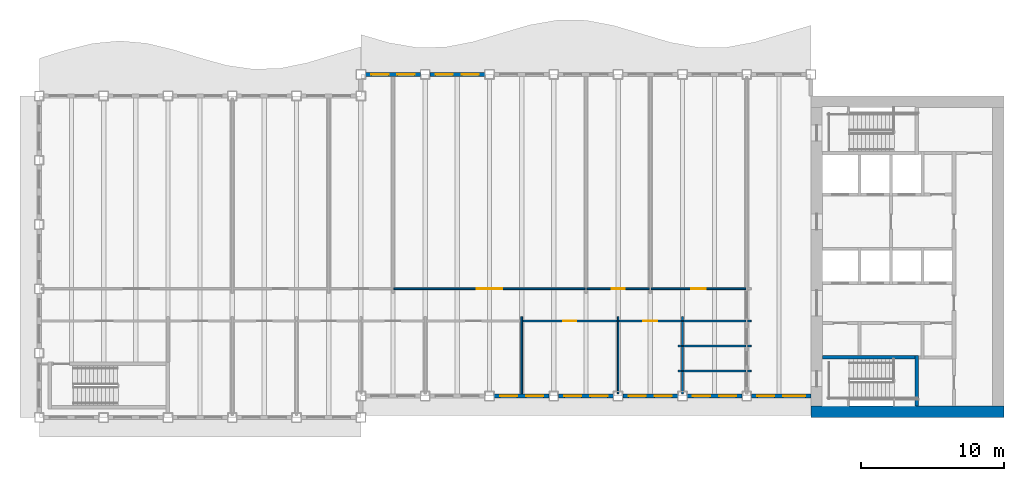
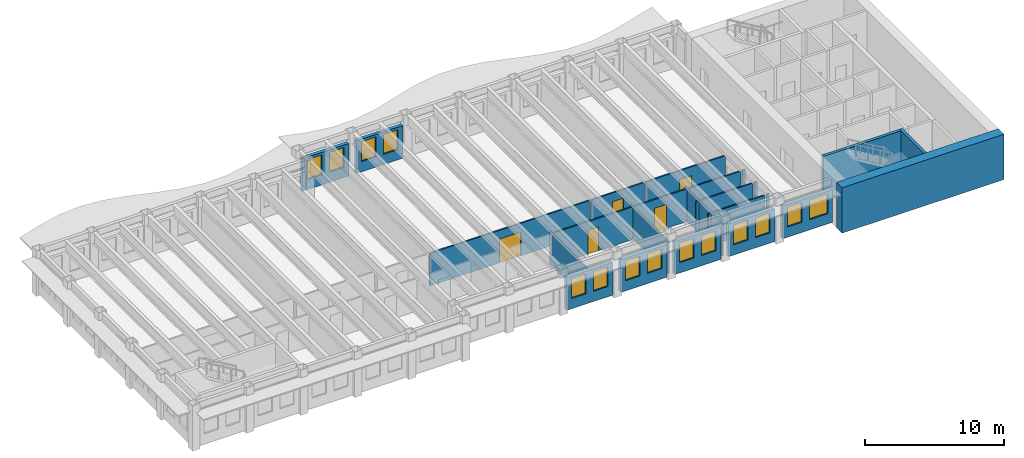
# One storey, part 4 of 12: 26 walls, 14 windows, 5 doors, 19 openings.
"""IFC4 building model written with IfcOpenShell, lengths in metres."""

from ifc_helpers import new_model, si_unit, direction, frame, frame_2d, origin, place, context, subcontext, project, spatial, rectangle, extrude, material, layer, layer_set, type_object, element, fill, save


model = new_model("IFC4")

# Units and contexts
model_context = context("Model", 3, precision=1e-05, world=origin(), true_north=direction((0.0, 1.0)))
body_context = subcontext(model_context, "Body", "Model", "MODEL_VIEW")
ifc_project = project(units=[si_unit("LENGTHUNIT", "METRE"), si_unit("AREAUNIT", "SQUARE_METRE"), si_unit("VOLUMEUNIT", "CUBIC_METRE"), si_unit("PLANEANGLEUNIT", "RADIAN"), si_unit("MASSUNIT", "GRAM", prefix="KILO")], contexts=[model_context])

# Site, building, storey
site_placement = place(None, origin())
site = spatial("IfcSite", under=ifc_project, at=site_placement, CompositionType="ELEMENT")
building_placement = place(site_placement, origin())
building = spatial("IfcBuilding", under=site, at=building_placement, Name="Sennacour Bend Tower", CompositionType="ELEMENT")
storey_placement = place(building_placement, frame((0.0, 0.0, 269.0)))
storey = spatial("IfcBuildingStorey", under=building, at=storey_placement, Name="L62", CompositionType="ELEMENT", Elevation=269.0)

# Walls
ifc_material_1 = material(Name="Concrete C50/60", Category="concrete")
ifc_layer_1 = layer(ifc_material_1, 0.800048828125, Name="Concrete C50/60", Category="concrete")
ifc_layer_set_1 = layer_set([ifc_layer_1], Name="Concrete C50/60")
wall_type_1 = type_object("IfcWallType", Name="Core wall 800 C50/60", PredefinedType="SHEAR", material=ifc_layer_set_1)
wall_1_placement = place(storey_placement, frame((67.5, 0.39990234375, -0.14990234375), z_axis=(0.0, 0.0, 1.0), x_axis=(-1.0, 0.0, 0.0)))
element("IfcWall", 1, at=wall_1_placement, inside=storey, type_object=wall_type_1, Name="Core A wall L62 S", PredefinedType="SHEAR", context=body_context, shape_type="SweptSolid", body=[
    extrude(rectangle(XDim=13.5, YDim=0.800048828125, at=frame_2d((6.75, 0.0))), origin(), (0.0, 0.0, 1.0), 4.0),
])
ifc_material_2 = material(Name="Plasterboard partition on steel studs", Category="steel")
ifc_layer_2 = layer(ifc_material_2, 0.1201171875, Name="Plasterboard partition on steel studs", Category="steel")
ifc_layer_set_2 = layer_set([ifc_layer_2], Name="Plasterboard partition on steel studs")
wall_type_2 = type_object("IfcWallType", Name="Partition 120", PredefinedType="PARTITIONING", material=ifc_layer_set_2)
for number, where, z_axis, x_axis, name in (
    (2, (33.75, 1.64990234375, 0.0), (0.0, 0.0, 1.0), (0.0, 1.0, 0.0), "P-L62-W013a"),
    (3, (40.5, 1.64990234375, 0.0), (0.0, 0.0, 1.0), (0.0, 1.0, 0.0), "P-L62-W015a"),
    (4, (45.0, 1.64990234375, 0.0), (0.0, 0.0, 1.0), (0.0, 1.0, 0.0), "P-L62-W017a"),
):
    element("IfcWall", number, at=place(storey_placement, frame(where, z_axis=z_axis, x_axis=x_axis)), inside=storey, type_object=wall_type_2, Name=name, PredefinedType="PARTITIONING", context=body_context, shape_type="SweptSolid", body=[
        extrude(rectangle(XDim=5.400146484375, YDim=0.1201171875, at=frame_2d((2.7001953125, 0.0))), origin(), (0.0, 0.0, 1.0), 2.8701171875),
    ])
wall_2_placement = place(storey_placement, frame((44.699951171875, 3.25, 0.0), z_axis=(0.0, 0.0, 1.0), x_axis=(1.0, 0.0, 0.0)))
element("IfcWall", 5, at=wall_2_placement, inside=storey, type_object=wall_type_2, Name="P-L62-W036aa", PredefinedType="PARTITIONING", context=body_context, shape_type="SweptSolid", body=[
    extrude(rectangle(XDim=0.239990234375, YDim=0.1201171875, at=frame_2d((0.1201171875, 0.0))), origin(), (0.0, 0.0, 1.0), 2.8701171875),
])
wall_3_placement = place(storey_placement, frame((45.06005859375, 3.25, 0.0), z_axis=(0.0, 0.0, 1.0), x_axis=(1.0, 0.0, 0.0)))
element("IfcWall", 6, at=wall_3_placement, inside=storey, type_object=wall_type_2, Name="P-L62-W036ab", PredefinedType="PARTITIONING", context=body_context, shape_type="SweptSolid", body=[
    extrude(rectangle(XDim=4.3798828125, YDim=0.1201171875, at=frame_2d((2.18994140625, 0.0))), origin(), (0.0, 0.0, 1.0), 2.8701171875),
])
for number, where, z_axis, x_axis, name in (
    (7, (49.56005859375, 3.25, 0.0), (0.0, 0.0, 1.0), (1.0, 0.0, 0.0), "P-L62-W036ac"),
    (8, (44.699951171875, 5.0, 0.0), (0.0, 0.0, 1.0), (1.0, 0.0, 0.0), "P-L62-W041aa"),
):
    element("IfcWall", number, at=place(storey_placement, frame(where, z_axis=z_axis, x_axis=x_axis)), inside=storey, type_object=wall_type_2, Name=name, PredefinedType="PARTITIONING", context=body_context, shape_type="SweptSolid", body=[
        extrude(rectangle(XDim=0.239990234375, YDim=0.1201171875, at=frame_2d((0.1201171875, 0.0))), origin(), (0.0, 0.0, 1.0), 2.8701171875),
    ])
wall_4_placement = place(storey_placement, frame((45.06005859375, 5.0, 0.0), z_axis=(0.0, 0.0, 1.0), x_axis=(1.0, 0.0, 0.0)))
element("IfcWall", 9, at=wall_4_placement, inside=storey, type_object=wall_type_2, Name="P-L62-W041ab", PredefinedType="PARTITIONING", context=body_context, shape_type="SweptSolid", body=[
    extrude(rectangle(XDim=4.3798828125, YDim=0.1201171875, at=frame_2d((2.18994140625, 0.0))), origin(), (0.0, 0.0, 1.0), 2.8701171875),
])
wall_5_placement = place(storey_placement, frame((49.56005859375, 5.0, 0.0), z_axis=(0.0, 0.0, 1.0), x_axis=(1.0, 0.0, 0.0)))
element("IfcWall", 10, at=wall_5_placement, inside=storey, type_object=wall_type_2, Name="P-L62-W041ac", PredefinedType="PARTITIONING", context=body_context, shape_type="SweptSolid", body=[
    extrude(rectangle(XDim=0.239990234375, YDim=0.1201171875, at=frame_2d((0.1201171875, 0.0))), origin(), (0.0, 0.0, 1.0), 2.8701171875),
])

# Wall, opening, door
wall_6_placement = place(storey_placement, frame((40.56005859375, 6.75, 0.0), z_axis=(0.0, 0.0, 1.0), x_axis=(1.0, 0.0, 0.0)))
wall_6 = element("IfcWall", 11, at=wall_6_placement, inside=storey, type_object=wall_type_2, Name="P-L62-W043ah", PredefinedType="PARTITIONING", context=body_context, shape_type="SweptSolid", body=[
    extrude(rectangle(XDim=4.3798828125, YDim=0.1201171875, at=frame_2d((2.18994140625, 0.0))), origin(), (0.0, 0.0, 1.0), 2.8701171875),
])
opening_1_placement = place(wall_6_placement, frame((1.68994140625, 0.0, 0.0)))
opening_1 = element("IfcOpeningElement", 12, at=opening_1_placement, cuts=wall_6, Name="Opening OD2", PredefinedType="OPENING", context=body_context, shape_type="SweptSolid", body=[
    extrude(rectangle(XDim=1.0, YDim=2.10009765625, at=frame_2d((0.5, 1.050048828125))), frame((0.0, 0.070068359375, 0.0), z_axis=(0.0, -1.0, 0.0), x_axis=(1.0, 0.0, 0.0)), (0.0, 0.0, 1.0), 0.14013671875),
])
ifc_material_3 = material(Name="Timber", Category="wood")
door_type_1 = type_object("IfcDoorType", Name="DR-OFFICE-1000", OperationType="NOTDEFINED", PredefinedType="DOOR", material=ifc_material_3)
door_1_placement = place(opening_1_placement, origin())
door_1 = element("IfcDoor", 13, at=door_1_placement, inside=storey, type_object=door_type_1, Name="Door", OperationType="SINGLE_SWING_LEFT", OverallHeight=2.10009765625, OverallWidth=1.0, PredefinedType="DOOR", context=body_context, shape_type="SweptSolid", body=[
    extrude(rectangle(XDim=1.0, YDim=2.10009765625, at=frame_2d((0.5, 1.050048828125))), frame((0.0, 0.02490234375, 0.0), z_axis=(0.0, -1.0, 0.0), x_axis=(1.0, 0.0, 0.0)), (0.0, 0.0, 1.0), 0.050048828125),
])
fill(opening_1, door_1)

# Walls
wall_7_placement = place(storey_placement, frame((45.06005859375, 6.75, 0.0), z_axis=(0.0, 0.0, 1.0), x_axis=(1.0, 0.0, 0.0)))
element("IfcWall", 14, at=wall_7_placement, inside=storey, type_object=wall_type_2, Name="P-L62-W043ai", PredefinedType="PARTITIONING", context=body_context, shape_type="SweptSolid", body=[
    extrude(rectangle(XDim=4.3798828125, YDim=0.1201171875, at=frame_2d((2.18994140625, 0.0))), origin(), (0.0, 0.0, 1.0), 2.8701171875),
])
wall_8_placement = place(storey_placement, frame((49.56005859375, 6.75, 0.0), z_axis=(0.0, 0.0, 1.0), x_axis=(1.0, 0.0, 0.0)))
element("IfcWall", 15, at=wall_8_placement, inside=storey, type_object=wall_type_2, Name="P-L62-W043aj", PredefinedType="PARTITIONING", context=body_context, shape_type="SweptSolid", body=[
    extrude(rectangle(XDim=0.239990234375, YDim=0.1201171875, at=frame_2d((0.1201171875, 0.0))), origin(), (0.0, 0.0, 1.0), 2.8701171875),
])

# Wall, opening, door
wall_9_placement = place(storey_placement, frame((24.81005859375, 9.0, 0.0), z_axis=(0.0, 0.0, 1.0), x_axis=(1.0, 0.0, 0.0)))
wall_9 = element("IfcWall", 16, at=wall_9_placement, inside=storey, type_object=wall_type_2, Name="P-L62-W044ad", PredefinedType="PARTITIONING", context=body_context, shape_type="SweptSolid", body=[
    extrude(rectangle(XDim=13.3798828125, YDim=0.1201171875, at=frame_2d((6.68994140625, 0.0))), origin(), (0.0, 0.0, 1.0), 2.8701171875),
])
opening_2_placement = place(wall_9_placement, frame((5.789794921875, 0.0, 0.0)))
opening_2 = element("IfcOpeningElement", 17, at=opening_2_placement, cuts=wall_9, Name="Opening OD3", PredefinedType="OPENING", context=body_context, shape_type="SweptSolid", body=[
    extrude(rectangle(XDim=1.800048828125, YDim=2.10009765625, at=frame_2d((0.89990234375, 1.050048828125))), frame((0.0, 0.070068359375, 0.0), z_axis=(0.0, -1.0, 0.0), x_axis=(1.0, 0.0, 0.0)), (0.0, 0.0, 1.0), 0.14013671875),
])
door_type_2 = type_object("IfcDoorType", Name="DR-OFFICE-1800", OperationType="NOTDEFINED", PredefinedType="DOOR", material=ifc_material_3)
door_2_placement = place(opening_2_placement, origin())
door_2 = element("IfcDoor", 18, at=door_2_placement, inside=storey, type_object=door_type_2, Name="Door", OperationType="DOUBLE_DOOR_SINGLE_SWING", OverallHeight=2.10009765625, OverallWidth=1.800048828125, PredefinedType="DOOR", context=body_context, shape_type="SweptSolid", body=[
    extrude(rectangle(XDim=1.800048828125, YDim=2.10009765625, at=frame_2d((0.89990234375, 1.050048828125))), frame((0.0, 0.02490234375, 0.0), z_axis=(0.0, -1.0, 0.0), x_axis=(1.0, 0.0, 0.0)), (0.0, 0.0, 1.0), 0.050048828125),
])
fill(opening_2, door_2)

wall_10_placement = place(storey_placement, frame((42.81005859375, 9.0, 0.0), z_axis=(0.0, 0.0, 1.0), x_axis=(1.0, 0.0, 0.0)))
wall_10 = element("IfcWall", 19, at=wall_10_placement, inside=storey, type_object=wall_type_2, Name="P-L62-W044af", PredefinedType="PARTITIONING", context=body_context, shape_type="SweptSolid", body=[
    extrude(rectangle(XDim=6.6298828125, YDim=0.1201171875, at=frame_2d((3.31494140625, 0.0))), origin(), (0.0, 0.0, 1.0), 2.8701171875),
])
opening_3_placement = place(wall_10_placement, frame((2.81494140625, 0.0, 0.0)))
opening_3 = element("IfcOpeningElement", 20, at=opening_3_placement, cuts=wall_10, Name="Opening OD2", PredefinedType="OPENING", context=body_context, shape_type="SweptSolid", body=[
    extrude(rectangle(XDim=1.0, YDim=2.10009765625, at=frame_2d((0.5, 1.050048828125))), frame((0.0, 0.070068359375, 0.0), z_axis=(0.0, -1.0, 0.0), x_axis=(1.0, 0.0, 0.0)), (0.0, 0.0, 1.0), 0.14013671875),
])
door_3_placement = place(opening_3_placement, origin())
door_3 = element("IfcDoor", 21, at=door_3_placement, inside=storey, type_object=door_type_1, Name="Door", OperationType="SINGLE_SWING_LEFT", OverallHeight=2.10009765625, OverallWidth=1.0, PredefinedType="DOOR", context=body_context, shape_type="SweptSolid", body=[
    extrude(rectangle(XDim=1.0, YDim=2.10009765625, at=frame_2d((0.5, 1.050048828125))), frame((0.0, 0.02490234375, 0.0), z_axis=(0.0, -1.0, 0.0), x_axis=(1.0, 0.0, 0.0)), (0.0, 0.0, 1.0), 0.050048828125),
])
fill(opening_3, door_3)

ifc_layer_3 = layer(ifc_material_2, 0.1201171875, Name="Plasterboard partition on steel studs", Category="steel")
ifc_layer_set_3 = layer_set([ifc_layer_3], Name="Plasterboard partition on steel studs")
wall_type_3 = type_object("IfcWallType", Name="Partition 120 EI 60", PredefinedType="PARTITIONING", material=ifc_layer_set_3)
wall_11_placement = place(storey_placement, frame((33.81005859375, 6.75, 0.0), z_axis=(0.0, 0.0, 1.0), x_axis=(1.0, 0.0, 0.0)))
wall_11 = element("IfcWall", 22, at=wall_11_placement, inside=storey, type_object=wall_type_3, Name="P-L62-W043ag", PredefinedType="PARTITIONING", context=body_context, shape_type="SweptSolid", body=[
    extrude(rectangle(XDim=6.6298828125, YDim=0.1201171875, at=frame_2d((3.31494140625, 0.0))), origin(), (0.0, 0.0, 1.0), 2.8701171875),
])
opening_4_placement = place(wall_11_placement, frame((2.864990234375, 0.0, 0.0)))
opening_4 = element("IfcOpeningElement", 23, at=opening_4_placement, cuts=wall_11, Name="Opening SV", PredefinedType="OPENING", context=body_context, shape_type="SweptSolid", body=[
    extrude(rectangle(XDim=0.89990234375, YDim=2.10009765625, at=frame_2d((0.449951171875, 1.050048828125))), frame((0.0, 0.070068359375, 0.0), z_axis=(0.0, -1.0, 0.0), x_axis=(1.0, 0.0, 0.0)), (0.0, 0.0, 1.0), 0.14013671875),
])
ifc_material_4 = material(Name="Painted steel", Category="steel")
door_type_3 = type_object("IfcDoorType", Name="DR-SERVICE-900", OperationType="NOTDEFINED", PredefinedType="DOOR", material=ifc_material_4)
door_4_placement = place(opening_4_placement, origin())
door_4 = element("IfcDoor", 24, at=door_4_placement, inside=storey, type_object=door_type_3, Name="Door", OperationType="SINGLE_SWING_LEFT", OverallHeight=2.10009765625, OverallWidth=0.89990234375, PredefinedType="DOOR", context=body_context, shape_type="SweptSolid", body=[
    extrude(rectangle(XDim=0.89990234375, YDim=2.10009765625, at=frame_2d((0.449951171875, 1.050048828125))), frame((0.0, 0.02490234375, 0.0), z_axis=(0.0, -1.0, 0.0), x_axis=(1.0, 0.0, 0.0)), (0.0, 0.0, 1.0), 0.050048828125),
])
fill(opening_4, door_4)

wall_12_placement = place(storey_placement, frame((38.31005859375, 9.0, 0.0), z_axis=(0.0, 0.0, 1.0), x_axis=(1.0, 0.0, 0.0)))
wall_12 = element("IfcWall", 25, at=wall_12_placement, inside=storey, type_object=wall_type_3, Name="P-L62-W044ae", PredefinedType="PARTITIONING", context=body_context, shape_type="SweptSolid", body=[
    extrude(rectangle(XDim=4.3798828125, YDim=0.1201171875, at=frame_2d((2.18994140625, 0.0))), origin(), (0.0, 0.0, 1.0), 2.8701171875),
])
opening_5_placement = place(wall_12_placement, frame((1.739990234375, 0.0, 0.0)))
opening_5 = element("IfcOpeningElement", 26, at=opening_5_placement, cuts=wall_12, Name="Opening SV", PredefinedType="OPENING", context=body_context, shape_type="SweptSolid", body=[
    extrude(rectangle(XDim=0.89990234375, YDim=2.10009765625, at=frame_2d((0.449951171875, 1.050048828125))), frame((0.0, 0.070068359375, 0.0), z_axis=(0.0, -1.0, 0.0), x_axis=(1.0, 0.0, 0.0)), (0.0, 0.0, 1.0), 0.14013671875),
])
door_5_placement = place(opening_5_placement, origin())
door_5 = element("IfcDoor", 27, at=door_5_placement, inside=storey, type_object=door_type_3, Name="Door", OperationType="SINGLE_SWING_LEFT", OverallHeight=2.10009765625, OverallWidth=0.89990234375, PredefinedType="DOOR", context=body_context, shape_type="SweptSolid", body=[
    extrude(rectangle(XDim=0.89990234375, YDim=2.10009765625, at=frame_2d((0.449951171875, 1.050048828125))), frame((0.0, 0.02490234375, 0.0), z_axis=(0.0, -1.0, 0.0), x_axis=(1.0, 0.0, 0.0)), (0.0, 0.0, 1.0), 0.050048828125),
])
fill(opening_5, door_5)

# Wall, openings, windows
ifc_material_5 = material(Name="Warm limestone cladding", Category="masonry")
ifc_layer_4 = layer(ifc_material_5, 0.050048828125, Name="Warm limestone cladding", Category="masonry")
ifc_material_6 = material(Name="Precast concrete C40/50", Category="concrete")
ifc_layer_5 = layer(ifc_material_6, 0.25, Name="Precast concrete C40/50", Category="concrete")
ifc_layer_set_4 = layer_set([ifc_layer_4, ifc_layer_5], Name="Precast concrete C40/50 with limestone cladding")
wall_type_4 = type_object("IfcWallType", Name="STONE-CLAD PRECAST SPANDREL 300", PredefinedType="STANDARD", material=ifc_layer_set_4)
wall_13_placement = place(storey_placement, frame((31.824951171875, 1.5, 0.0), z_axis=(0.0, 0.0, 1.0), x_axis=(1.0, 0.0, 0.0)))
wall_13 = element("IfcWall", 28, at=wall_13_placement, inside=storey, type_object=wall_type_4, Name="Stone spandrel and pier wall L62 01.02", PredefinedType="STANDARD", context=body_context, shape_type="SweptSolid", body=[
    extrude(rectangle(XDim=3.85009765625, YDim=0.300048828125, at=frame_2d((1.925048828125, 0.0))), origin(), (0.0, 0.0, 1.0), 2.8701171875),
])
opening_6_placement = place(wall_13_placement, frame((0.41259765625, 0.0, 0.89990234375)))
opening_6 = element("IfcOpeningElement", 29, at=opening_6_placement, cuts=wall_13, Name="Opening W16", PredefinedType="OPENING", context=body_context, shape_type="SweptSolid", body=[
    extrude(rectangle(XDim=1.199951171875, YDim=1.75, at=frame_2d((0.60009765625, 0.875))), frame((0.0, 0.16015625, 0.0), z_axis=(0.0, -1.0, 0.0), x_axis=(1.0, 0.0, 0.0)), (0.0, 0.0, 1.0), 0.320068359375),
])
opening_7_placement = place(wall_13_placement, frame((2.237548828125, 0.0, 0.89990234375)))
opening_7 = element("IfcOpeningElement", 30, at=opening_7_placement, cuts=wall_13, Name="Opening W16", PredefinedType="OPENING", context=body_context, shape_type="SweptSolid", body=[
    extrude(rectangle(XDim=1.199951171875, YDim=1.75, at=frame_2d((0.60009765625, 0.875))), frame((0.0, 0.16015625, 0.0), z_axis=(0.0, -1.0, 0.0), x_axis=(1.0, 0.0, 0.0)), (0.0, 0.0, 1.0), 0.320068359375),
])
ifc_material_7 = material(Name="Clear low-emissivity glass", Category="glass")
window_type_1 = type_object("IfcWindowType", Name="WIN-RIBBON-1200x1750", PartitioningType="SINGLE_PANEL", PredefinedType="WINDOW", material=ifc_material_7)
window_1_placement = place(opening_6_placement, origin())
window_1 = element("IfcWindow", 31, at=window_1_placement, inside=storey, type_object=window_type_1, Name="Ribbon window L62 01.02.0", OverallHeight=1.75, OverallWidth=1.199951171875, PartitioningType="SINGLE_PANEL", PredefinedType="WINDOW", context=body_context, shape_type="SweptSolid", body=[
    extrude(rectangle(XDim=1.199951171875, YDim=1.75, at=frame_2d((0.60009765625, 0.875))), frame((0.0, 0.030029296875, 0.0), z_axis=(0.0, -1.0, 0.0), x_axis=(1.0, 0.0, 0.0)), (0.0, 0.0, 1.0), 0.06005859375),
])
fill(opening_6, window_1)
window_2_placement = place(opening_7_placement, origin())
window_2 = element("IfcWindow", 32, at=window_2_placement, inside=storey, type_object=window_type_1, Name="Ribbon window L62 01.02.1", OverallHeight=1.75, OverallWidth=1.199951171875, PartitioningType="SINGLE_PANEL", PredefinedType="WINDOW", context=body_context, shape_type="SweptSolid", body=[
    extrude(rectangle(XDim=1.199951171875, YDim=1.75, at=frame_2d((0.60009765625, 0.875))), frame((0.0, 0.030029296875, 0.0), z_axis=(0.0, -1.0, 0.0), x_axis=(1.0, 0.0, 0.0)), (0.0, 0.0, 1.0), 0.06005859375),
])
fill(opening_7, window_2)

wall_14_placement = place(storey_placement, frame((36.324951171875, 1.5, 0.0), z_axis=(0.0, 0.0, 1.0), x_axis=(1.0, 0.0, 0.0)))
wall_14 = element("IfcWall", 33, at=wall_14_placement, inside=storey, type_object=wall_type_4, Name="Stone spandrel and pier wall L62 01.03", PredefinedType="STANDARD", context=body_context, shape_type="SweptSolid", body=[
    extrude(rectangle(XDim=3.85009765625, YDim=0.300048828125, at=frame_2d((1.925048828125, 0.0))), origin(), (0.0, 0.0, 1.0), 2.8701171875),
])
opening_8_placement = place(wall_14_placement, frame((0.41259765625, 0.0, 0.89990234375)))
opening_8 = element("IfcOpeningElement", 34, at=opening_8_placement, cuts=wall_14, Name="Opening W16", PredefinedType="OPENING", context=body_context, shape_type="SweptSolid", body=[
    extrude(rectangle(XDim=1.199951171875, YDim=1.75, at=frame_2d((0.60009765625, 0.875))), frame((0.0, 0.16015625, 0.0), z_axis=(0.0, -1.0, 0.0), x_axis=(1.0, 0.0, 0.0)), (0.0, 0.0, 1.0), 0.320068359375),
])
opening_9_placement = place(wall_14_placement, frame((2.237548828125, 0.0, 0.89990234375)))
opening_9 = element("IfcOpeningElement", 35, at=opening_9_placement, cuts=wall_14, Name="Opening W16", PredefinedType="OPENING", context=body_context, shape_type="SweptSolid", body=[
    extrude(rectangle(XDim=1.199951171875, YDim=1.75, at=frame_2d((0.60009765625, 0.875))), frame((0.0, 0.16015625, 0.0), z_axis=(0.0, -1.0, 0.0), x_axis=(1.0, 0.0, 0.0)), (0.0, 0.0, 1.0), 0.320068359375),
])
window_3_placement = place(opening_8_placement, origin())
window_3 = element("IfcWindow", 36, at=window_3_placement, inside=storey, type_object=window_type_1, Name="Ribbon window L62 01.03.0", OverallHeight=1.75, OverallWidth=1.199951171875, PartitioningType="SINGLE_PANEL", PredefinedType="WINDOW", context=body_context, shape_type="SweptSolid", body=[
    extrude(rectangle(XDim=1.199951171875, YDim=1.75, at=frame_2d((0.60009765625, 0.875))), frame((0.0, 0.030029296875, 0.0), z_axis=(0.0, -1.0, 0.0), x_axis=(1.0, 0.0, 0.0)), (0.0, 0.0, 1.0), 0.06005859375),
])
fill(opening_8, window_3)
window_4_placement = place(opening_9_placement, origin())
window_4 = element("IfcWindow", 37, at=window_4_placement, inside=storey, type_object=window_type_1, Name="Ribbon window L62 01.03.1", OverallHeight=1.75, OverallWidth=1.199951171875, PartitioningType="SINGLE_PANEL", PredefinedType="WINDOW", context=body_context, shape_type="SweptSolid", body=[
    extrude(rectangle(XDim=1.199951171875, YDim=1.75, at=frame_2d((0.60009765625, 0.875))), frame((0.0, 0.030029296875, 0.0), z_axis=(0.0, -1.0, 0.0), x_axis=(1.0, 0.0, 0.0)), (0.0, 0.0, 1.0), 0.06005859375),
])
fill(opening_9, window_4)

wall_15_placement = place(storey_placement, frame((40.824951171875, 1.5, 0.0), z_axis=(0.0, 0.0, 1.0), x_axis=(1.0, 0.0, 0.0)))
wall_15 = element("IfcWall", 38, at=wall_15_placement, inside=storey, type_object=wall_type_4, Name="Stone spandrel and pier wall L62 01.04", PredefinedType="STANDARD", context=body_context, shape_type="SweptSolid", body=[
    extrude(rectangle(XDim=3.85009765625, YDim=0.300048828125, at=frame_2d((1.925048828125, 0.0))), origin(), (0.0, 0.0, 1.0), 2.8701171875),
])
opening_10_placement = place(wall_15_placement, frame((0.41259765625, 0.0, 0.89990234375)))
opening_10 = element("IfcOpeningElement", 39, at=opening_10_placement, cuts=wall_15, Name="Opening W16", PredefinedType="OPENING", context=body_context, shape_type="SweptSolid", body=[
    extrude(rectangle(XDim=1.199951171875, YDim=1.75, at=frame_2d((0.60009765625, 0.875))), frame((0.0, 0.16015625, 0.0), z_axis=(0.0, -1.0, 0.0), x_axis=(1.0, 0.0, 0.0)), (0.0, 0.0, 1.0), 0.320068359375),
])
opening_11_placement = place(wall_15_placement, frame((2.237548828125, 0.0, 0.89990234375)))
opening_11 = element("IfcOpeningElement", 40, at=opening_11_placement, cuts=wall_15, Name="Opening W16", PredefinedType="OPENING", context=body_context, shape_type="SweptSolid", body=[
    extrude(rectangle(XDim=1.199951171875, YDim=1.75, at=frame_2d((0.60009765625, 0.875))), frame((0.0, 0.16015625, 0.0), z_axis=(0.0, -1.0, 0.0), x_axis=(1.0, 0.0, 0.0)), (0.0, 0.0, 1.0), 0.320068359375),
])
window_5_placement = place(opening_10_placement, origin())
window_5 = element("IfcWindow", 41, at=window_5_placement, inside=storey, type_object=window_type_1, Name="Ribbon window L62 01.04.0", OverallHeight=1.75, OverallWidth=1.199951171875, PartitioningType="SINGLE_PANEL", PredefinedType="WINDOW", context=body_context, shape_type="SweptSolid", body=[
    extrude(rectangle(XDim=1.199951171875, YDim=1.75, at=frame_2d((0.60009765625, 0.875))), frame((0.0, 0.030029296875, 0.0), z_axis=(0.0, -1.0, 0.0), x_axis=(1.0, 0.0, 0.0)), (0.0, 0.0, 1.0), 0.06005859375),
])
fill(opening_10, window_5)
window_6_placement = place(opening_11_placement, origin())
window_6 = element("IfcWindow", 42, at=window_6_placement, inside=storey, type_object=window_type_1, Name="Ribbon window L62 01.04.1", OverallHeight=1.75, OverallWidth=1.199951171875, PartitioningType="SINGLE_PANEL", PredefinedType="WINDOW", context=body_context, shape_type="SweptSolid", body=[
    extrude(rectangle(XDim=1.199951171875, YDim=1.75, at=frame_2d((0.60009765625, 0.875))), frame((0.0, 0.030029296875, 0.0), z_axis=(0.0, -1.0, 0.0), x_axis=(1.0, 0.0, 0.0)), (0.0, 0.0, 1.0), 0.06005859375),
])
fill(opening_11, window_6)

wall_16_placement = place(storey_placement, frame((45.324951171875, 1.5, 0.0), z_axis=(0.0, 0.0, 1.0), x_axis=(1.0, 0.0, 0.0)))
wall_16 = element("IfcWall", 43, at=wall_16_placement, inside=storey, type_object=wall_type_4, Name="Stone spandrel and pier wall L62 01.05", PredefinedType="STANDARD", context=body_context, shape_type="SweptSolid", body=[
    extrude(rectangle(XDim=3.85009765625, YDim=0.300048828125, at=frame_2d((1.925048828125, 0.0))), origin(), (0.0, 0.0, 1.0), 2.8701171875),
])
opening_12_placement = place(wall_16_placement, frame((0.41259765625, 0.0, 0.89990234375)))
opening_12 = element("IfcOpeningElement", 44, at=opening_12_placement, cuts=wall_16, Name="Opening W16", PredefinedType="OPENING", context=body_context, shape_type="SweptSolid", body=[
    extrude(rectangle(XDim=1.199951171875, YDim=1.75, at=frame_2d((0.60009765625, 0.875))), frame((0.0, 0.16015625, 0.0), z_axis=(0.0, -1.0, 0.0), x_axis=(1.0, 0.0, 0.0)), (0.0, 0.0, 1.0), 0.320068359375),
])
opening_13_placement = place(wall_16_placement, frame((2.237548828125, 0.0, 0.89990234375)))
opening_13 = element("IfcOpeningElement", 45, at=opening_13_placement, cuts=wall_16, Name="Opening W16", PredefinedType="OPENING", context=body_context, shape_type="SweptSolid", body=[
    extrude(rectangle(XDim=1.199951171875, YDim=1.75, at=frame_2d((0.60009765625, 0.875))), frame((0.0, 0.16015625, 0.0), z_axis=(0.0, -1.0, 0.0), x_axis=(1.0, 0.0, 0.0)), (0.0, 0.0, 1.0), 0.320068359375),
])
window_7_placement = place(opening_12_placement, origin())
window_7 = element("IfcWindow", 46, at=window_7_placement, inside=storey, type_object=window_type_1, Name="Ribbon window L62 01.05.0", OverallHeight=1.75, OverallWidth=1.199951171875, PartitioningType="SINGLE_PANEL", PredefinedType="WINDOW", context=body_context, shape_type="SweptSolid", body=[
    extrude(rectangle(XDim=1.199951171875, YDim=1.75, at=frame_2d((0.60009765625, 0.875))), frame((0.0, 0.030029296875, 0.0), z_axis=(0.0, -1.0, 0.0), x_axis=(1.0, 0.0, 0.0)), (0.0, 0.0, 1.0), 0.06005859375),
])
fill(opening_12, window_7)
window_8_placement = place(opening_13_placement, origin())
window_8 = element("IfcWindow", 47, at=window_8_placement, inside=storey, type_object=window_type_1, Name="Ribbon window L62 01.05.1", OverallHeight=1.75, OverallWidth=1.199951171875, PartitioningType="SINGLE_PANEL", PredefinedType="WINDOW", context=body_context, shape_type="SweptSolid", body=[
    extrude(rectangle(XDim=1.199951171875, YDim=1.75, at=frame_2d((0.60009765625, 0.875))), frame((0.0, 0.030029296875, 0.0), z_axis=(0.0, -1.0, 0.0), x_axis=(1.0, 0.0, 0.0)), (0.0, 0.0, 1.0), 0.06005859375),
])
fill(opening_13, window_8)

wall_17_placement = place(storey_placement, frame((49.824951171875, 1.5, 0.0), z_axis=(0.0, 0.0, 1.0), x_axis=(1.0, 0.0, 0.0)))
wall_17 = element("IfcWall", 48, at=wall_17_placement, inside=storey, type_object=wall_type_4, Name="Stone spandrel and pier wall L62 01.06", PredefinedType="STANDARD", context=body_context, shape_type="SweptSolid", body=[
    extrude(rectangle(XDim=4.175048828125, YDim=0.300048828125, at=frame_2d((2.08740234375, 0.0))), origin(), (0.0, 0.0, 1.0), 2.8701171875),
])
opening_14_placement = place(wall_17_placement, frame((0.41259765625, 0.0, 0.89990234375)))
opening_14 = element("IfcOpeningElement", 49, at=opening_14_placement, cuts=wall_17, Name="Opening W16", PredefinedType="OPENING", context=body_context, shape_type="SweptSolid", body=[
    extrude(rectangle(XDim=1.199951171875, YDim=1.75, at=frame_2d((0.60009765625, 0.875))), frame((0.0, 0.16015625, 0.0), z_axis=(0.0, -1.0, 0.0), x_axis=(1.0, 0.0, 0.0)), (0.0, 0.0, 1.0), 0.320068359375),
])
opening_15_placement = place(wall_17_placement, frame((2.22509765625, 0.0, 0.89990234375)))
opening_15 = element("IfcOpeningElement", 50, at=opening_15_placement, cuts=wall_17, Name="Opening W12", PredefinedType="OPENING", context=body_context, shape_type="SweptSolid", body=[
    extrude(rectangle(XDim=1.550048828125, YDim=1.75, at=frame_2d((0.77490234375, 0.875))), frame((0.0, 0.16015625, 0.0), z_axis=(0.0, -1.0, 0.0), x_axis=(1.0, 0.0, 0.0)), (0.0, 0.0, 1.0), 0.320068359375),
])
window_9_placement = place(opening_14_placement, origin())
window_9 = element("IfcWindow", 51, at=window_9_placement, inside=storey, type_object=window_type_1, Name="Ribbon window L62 01.06.0", OverallHeight=1.75, OverallWidth=1.199951171875, PartitioningType="SINGLE_PANEL", PredefinedType="WINDOW", context=body_context, shape_type="SweptSolid", body=[
    extrude(rectangle(XDim=1.199951171875, YDim=1.75, at=frame_2d((0.60009765625, 0.875))), frame((0.0, 0.030029296875, 0.0), z_axis=(0.0, -1.0, 0.0), x_axis=(1.0, 0.0, 0.0)), (0.0, 0.0, 1.0), 0.06005859375),
])
fill(opening_14, window_9)
window_type_2 = type_object("IfcWindowType", Name="WIN-RIBBON-1550x1750", PartitioningType="SINGLE_PANEL", PredefinedType="WINDOW", material=ifc_material_7)
window_10_placement = place(opening_15_placement, origin())
window_10 = element("IfcWindow", 52, at=window_10_placement, inside=storey, type_object=window_type_2, Name="Ribbon window L62 01.06.1", OverallHeight=1.75, OverallWidth=1.550048828125, PartitioningType="SINGLE_PANEL", PredefinedType="WINDOW", context=body_context, shape_type="SweptSolid", body=[
    extrude(rectangle(XDim=1.550048828125, YDim=1.75, at=frame_2d((0.77490234375, 0.875))), frame((0.0, 0.030029296875, 0.0), z_axis=(0.0, -1.0, 0.0), x_axis=(1.0, 0.0, 0.0)), (0.0, 0.0, 1.0), 0.06005859375),
])
fill(opening_15, window_10)

wall_18_placement = place(storey_placement, frame((31.175048828125, 24.0, 0.0), z_axis=(0.0, 0.0, 1.0), x_axis=(-1.0, 0.0, 0.0)))
wall_18 = element("IfcWall", 53, at=wall_18_placement, inside=storey, type_object=wall_type_4, Name="Stone spandrel and pier wall L62 07.05", PredefinedType="STANDARD", context=body_context, shape_type="SweptSolid", body=[
    extrude(rectangle(XDim=3.85009765625, YDim=0.300048828125, at=frame_2d((1.925048828125, 0.0))), origin(), (0.0, 0.0, 1.0), 2.8701171875),
])
opening_16_placement = place(wall_18_placement, frame((0.41259765625, 0.0, 0.89990234375)))
opening_16 = element("IfcOpeningElement", 54, at=opening_16_placement, cuts=wall_18, Name="Opening W16", PredefinedType="OPENING", context=body_context, shape_type="SweptSolid", body=[
    extrude(rectangle(XDim=1.199951171875, YDim=1.75, at=frame_2d((0.60009765625, 0.875))), frame((0.0, 0.16015625, 0.0), z_axis=(0.0, -1.0, 0.0), x_axis=(1.0, 0.0, 0.0)), (0.0, 0.0, 1.0), 0.320068359375),
])
opening_17_placement = place(wall_18_placement, frame((2.237548828125, 0.0, 0.89990234375)))
opening_17 = element("IfcOpeningElement", 55, at=opening_17_placement, cuts=wall_18, Name="Opening W16", PredefinedType="OPENING", context=body_context, shape_type="SweptSolid", body=[
    extrude(rectangle(XDim=1.199951171875, YDim=1.75, at=frame_2d((0.60009765625, 0.875))), frame((0.0, 0.16015625, 0.0), z_axis=(0.0, -1.0, 0.0), x_axis=(1.0, 0.0, 0.0)), (0.0, 0.0, 1.0), 0.320068359375),
])
window_11_placement = place(opening_16_placement, origin())
window_11 = element("IfcWindow", 56, at=window_11_placement, inside=storey, type_object=window_type_1, Name="Ribbon window L62 07.05.0", OverallHeight=1.75, OverallWidth=1.199951171875, PartitioningType="SINGLE_PANEL", PredefinedType="WINDOW", context=body_context, shape_type="SweptSolid", body=[
    extrude(rectangle(XDim=1.199951171875, YDim=1.75, at=frame_2d((0.60009765625, 0.875))), frame((0.0, 0.030029296875, 0.0), z_axis=(0.0, -1.0, 0.0), x_axis=(1.0, 0.0, 0.0)), (0.0, 0.0, 1.0), 0.06005859375),
])
fill(opening_16, window_11)
window_12_placement = place(opening_17_placement, origin())
window_12 = element("IfcWindow", 57, at=window_12_placement, inside=storey, type_object=window_type_1, Name="Ribbon window L62 07.05.1", OverallHeight=1.75, OverallWidth=1.199951171875, PartitioningType="SINGLE_PANEL", PredefinedType="WINDOW", context=body_context, shape_type="SweptSolid", body=[
    extrude(rectangle(XDim=1.199951171875, YDim=1.75, at=frame_2d((0.60009765625, 0.875))), frame((0.0, 0.030029296875, 0.0), z_axis=(0.0, -1.0, 0.0), x_axis=(1.0, 0.0, 0.0)), (0.0, 0.0, 1.0), 0.06005859375),
])
fill(opening_17, window_12)

wall_19_placement = place(storey_placement, frame((26.675048828125, 24.0, 0.0), z_axis=(0.0, 0.0, 1.0), x_axis=(-1.0, 0.0, 0.0)))
wall_19 = element("IfcWall", 58, at=wall_19_placement, inside=storey, type_object=wall_type_4, Name="Stone spandrel and pier wall L62 07.06", PredefinedType="STANDARD", context=body_context, shape_type="SweptSolid", body=[
    extrude(rectangle(XDim=3.85009765625, YDim=0.300048828125, at=frame_2d((1.925048828125, 0.0))), origin(), (0.0, 0.0, 1.0), 2.8701171875),
])
opening_18_placement = place(wall_19_placement, frame((0.41259765625, 0.0, 0.89990234375)))
opening_18 = element("IfcOpeningElement", 59, at=opening_18_placement, cuts=wall_19, Name="Opening W16", PredefinedType="OPENING", context=body_context, shape_type="SweptSolid", body=[
    extrude(rectangle(XDim=1.199951171875, YDim=1.75, at=frame_2d((0.60009765625, 0.875))), frame((0.0, 0.16015625, 0.0), z_axis=(0.0, -1.0, 0.0), x_axis=(1.0, 0.0, 0.0)), (0.0, 0.0, 1.0), 0.320068359375),
])
opening_19_placement = place(wall_19_placement, frame((2.237548828125, 0.0, 0.89990234375)))
opening_19 = element("IfcOpeningElement", 60, at=opening_19_placement, cuts=wall_19, Name="Opening W16", PredefinedType="OPENING", context=body_context, shape_type="SweptSolid", body=[
    extrude(rectangle(XDim=1.199951171875, YDim=1.75, at=frame_2d((0.60009765625, 0.875))), frame((0.0, 0.16015625, 0.0), z_axis=(0.0, -1.0, 0.0), x_axis=(1.0, 0.0, 0.0)), (0.0, 0.0, 1.0), 0.320068359375),
])
window_13_placement = place(opening_18_placement, origin())
window_13 = element("IfcWindow", 61, at=window_13_placement, inside=storey, type_object=window_type_1, Name="Ribbon window L62 07.06.0", OverallHeight=1.75, OverallWidth=1.199951171875, PartitioningType="SINGLE_PANEL", PredefinedType="WINDOW", context=body_context, shape_type="SweptSolid", body=[
    extrude(rectangle(XDim=1.199951171875, YDim=1.75, at=frame_2d((0.60009765625, 0.875))), frame((0.0, 0.030029296875, 0.0), z_axis=(0.0, -1.0, 0.0), x_axis=(1.0, 0.0, 0.0)), (0.0, 0.0, 1.0), 0.06005859375),
])
fill(opening_18, window_13)
window_14_placement = place(opening_19_placement, origin())
window_14 = element("IfcWindow", 62, at=window_14_placement, inside=storey, type_object=window_type_1, Name="Ribbon window L62 07.06.1", OverallHeight=1.75, OverallWidth=1.199951171875, PartitioningType="SINGLE_PANEL", PredefinedType="WINDOW", context=body_context, shape_type="SweptSolid", body=[
    extrude(rectangle(XDim=1.199951171875, YDim=1.75, at=frame_2d((0.60009765625, 0.875))), frame((0.0, 0.030029296875, 0.0), z_axis=(0.0, -1.0, 0.0), x_axis=(1.0, 0.0, 0.0)), (0.0, 0.0, 1.0), 0.06005859375),
])
fill(opening_19, window_14)

# Walls
ifc_material_8 = material(Name="Concrete C60/75", Category="concrete")
ifc_layer_6 = layer(ifc_material_8, 0.25, Name="Concrete C60/75", Category="concrete")
ifc_layer_set_5 = layer_set([ifc_layer_6], Name="Concrete C60/75")
wall_type_5 = type_object("IfcWallType", Name="Stair wall 250", PredefinedType="SHEAR", material=ifc_layer_set_5)
wall_20_placement = place(storey_placement, frame((61.39990234375, 0.800048828125, 0.0), z_axis=(0.0, 0.0, 1.0), x_axis=(0.0, 1.0, 0.0)))
element("IfcWall", 63, at=wall_20_placement, inside=storey, type_object=wall_type_5, Name="P-L62-W026", PredefinedType="SHEAR", context=body_context, shape_type="SweptSolid", body=[
    extrude(rectangle(XDim=3.52490234375, YDim=0.25, at=frame_2d((1.762451171875, 0.0))), origin(), (0.0, 0.0, 1.0), 3.85009765625),
])
wall_21_placement = place(storey_placement, frame((54.800048828125, 4.199951171875, 0.0), z_axis=(0.0, 0.0, 1.0), x_axis=(1.0, 0.0, 0.0)))
element("IfcWall", 64, at=wall_21_placement, inside=storey, type_object=wall_type_5, Name="P-L62-W039", PredefinedType="SHEAR", context=body_context, shape_type="SweptSolid", body=[
    extrude(rectangle(XDim=6.474853515625, YDim=0.25, at=frame_2d((3.2373046875, 0.0))), origin(), (0.0, 0.0, 1.0), 3.85009765625),
])

save(model, "model.ifc")
